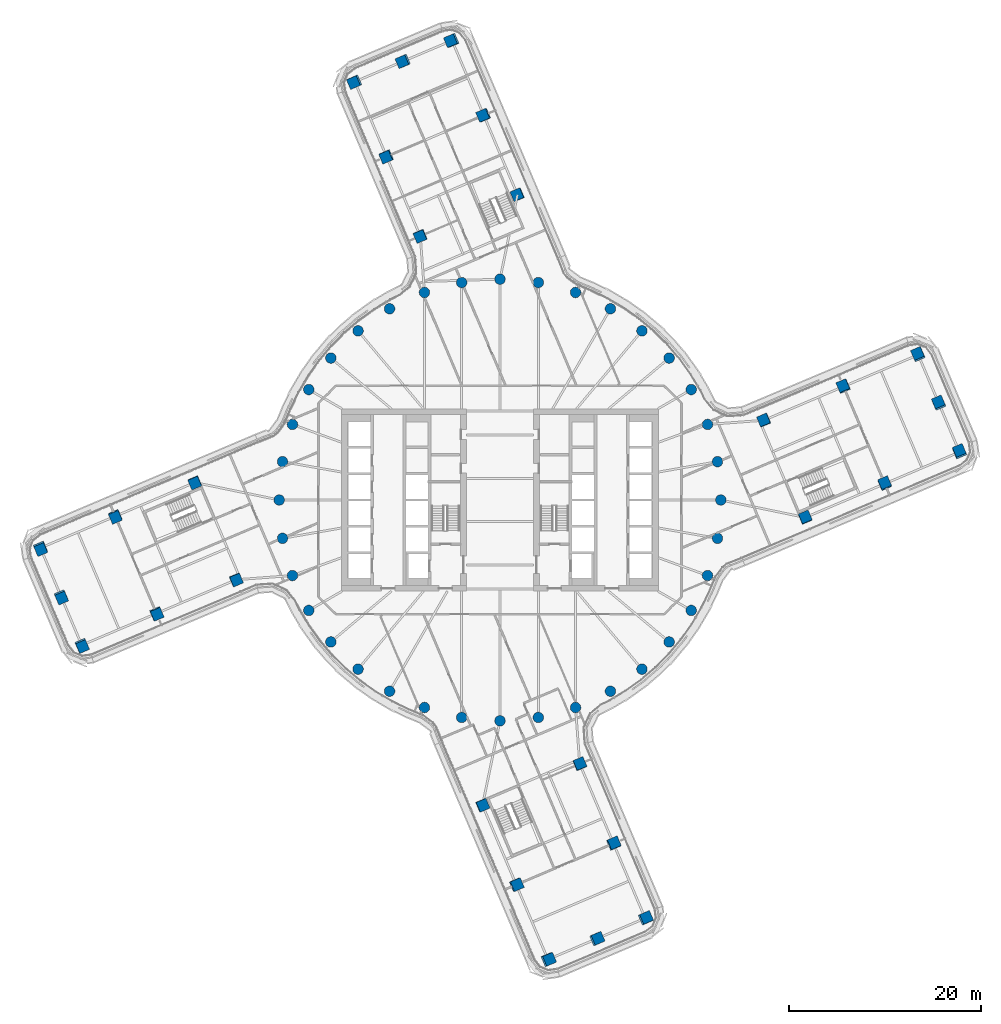
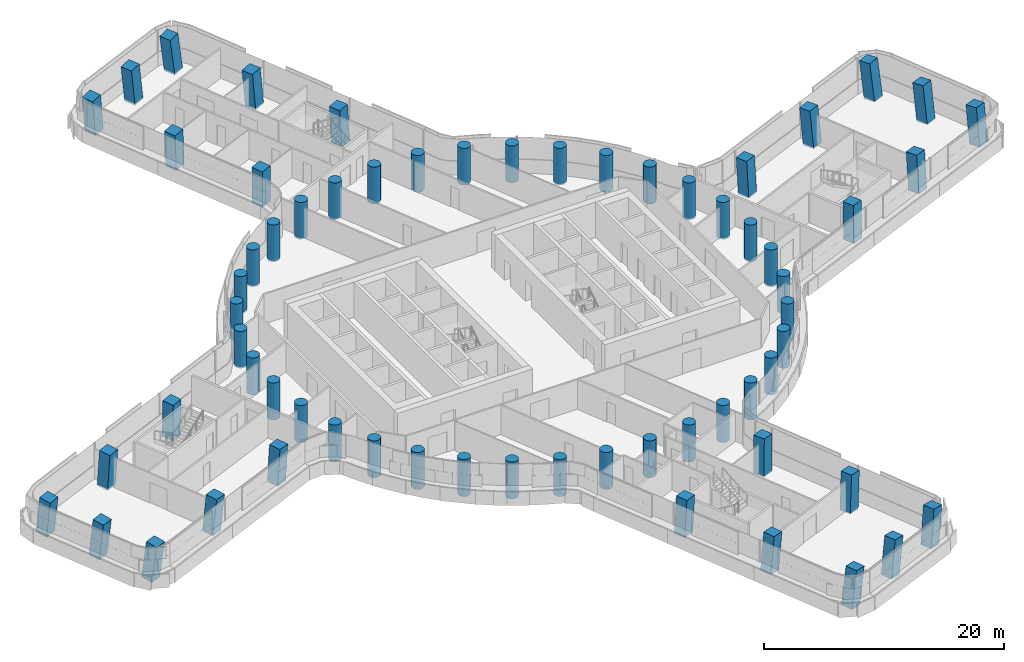
# One storey, part 1 of 35: 64 columns.
"""IFC4 building model written with IfcOpenShell, lengths in metres."""

from ifc_helpers import new_model, si_unit, direction, frame, origin, origin_2d, place, context, subcontext, project, spatial, rectangle, circle, extrude, material, material_profile, profile_set, type_object, element, save


model = new_model("IFC4")

# Units and contexts
model_context = context("Model", 3, precision=1e-05, world=origin(), true_north=direction((0.0, 1.0)))
body_context = subcontext(model_context, "Body", "Model", "MODEL_VIEW")
ifc_project = project(units=[si_unit("LENGTHUNIT", "METRE"), si_unit("AREAUNIT", "SQUARE_METRE"), si_unit("VOLUMEUNIT", "CUBIC_METRE"), si_unit("PLANEANGLEUNIT", "RADIAN"), si_unit("MASSUNIT", "GRAM", prefix="KILO")], contexts=[model_context])

# Site, building, storey
site_placement = place(None, origin())
site = spatial("IfcSite", under=ifc_project, at=site_placement, CompositionType="ELEMENT")
building_placement = place(site_placement, origin())
building = spatial("IfcBuilding", under=site, at=building_placement, Name="Tamarind Cross Interchange Tower", CompositionType="ELEMENT")
storey_placement = place(building_placement, frame((0.0, 0.0, 117.25)))
storey = spatial("IfcBuildingStorey", under=building, at=storey_placement, Name="L28", CompositionType="ELEMENT", Elevation=117.25)

# Columns
ifc_material = material(Name="Concrete C65", Category="concrete")
ifc_material_profile_1 = material_profile(ifc_material, rectangle(XDim=1.10009765625, YDim=1.10009765625, at=origin_2d()), Name="RC 1100x1100")
ifc_profile_set_1 = profile_set([ifc_material_profile_1], Name="Concrete C65")
column_type_1 = type_object("IfcColumnType", Name="Column RC 1100x1100 Concrete C65", PredefinedType="COLUMN", material=ifc_profile_set_1)
for number, where, z_axis, x_axis, name in (
    (1, (35.778564453125, 11.819091796875, -0.138427734375), (-0.057832191099, 0.066205201931, 0.996128660821), (0.387978771494, -0.91787545558, 0.083529162057), "Column L28-036"),
    (2, (40.07421875, 1.6923828125, -0.138427734375), (-0.009022040694, 0.0874943227, 0.996124162079), (-0.920612693773, -0.389618136413, 0.025883891539), "Column L28-037"),
):
    element("IfcColumn", number, at=place(storey_placement, frame(where, z_axis=z_axis, x_axis=x_axis)), inside=storey, type_object=column_type_1, Name=name, PredefinedType="COLUMN", context=body_context, shape_type="SweptSolid", body=[
        extrude(rectangle(XDim=1.10009765625, YDim=1.10009765625, at=origin_2d()), origin(), (0.0, 0.0, 1.0), 3.761474609375),
    ])
for number, where, z_axis, x_axis, name in (
    (3, (27.4931640625, 8.304443359375, -0.138671875), (-0.040541482933, 0.026355217637, 0.998830211129), (0.388633376935, -0.920521070145, 0.040063172014), "Column L28-038"),
    (4, (31.788818359375, -1.822021484375, -0.138671875), (0.008394645353, 0.047569657001, 0.998832647475), (-0.920393724136, -0.390106330459, 0.026314321323), "Column L28-039"),
):
    element("IfcColumn", number, at=place(storey_placement, frame(where, z_axis=z_axis, x_axis=x_axis)), inside=storey, type_object=column_type_1, Name=name, PredefinedType="COLUMN", context=body_context, shape_type="SweptSolid", body=[
        extrude(rectangle(XDim=1.10009765625, YDim=1.10009765625, at=origin_2d()), origin(), (0.0, 0.0, 1.0), 3.751708984375),
    ])
column_1_placement = place(storey_placement, frame((47.856689453125, 4.99365234375, -0.138427734375), z_axis=(-0.016088019764, 0.12851032655, 0.991577667956), x_axis=(-0.920945959267, -0.388083258278, 0.035354274898)))
element("IfcColumn", 5, at=column_1_placement, inside=storey, type_object=column_type_1, Name="Column L28-040", PredefinedType="COLUMN", context=body_context, shape_type="SweptSolid", body=[
    extrude(rectangle(XDim=1.10009765625, YDim=1.10009765625, at=origin_2d()), origin(), (0.0, 0.0, 1.0), 3.778564453125),
])
column_2_placement = place(storey_placement, frame((45.708984375, 10.05712890625, -0.138671875), z_axis=(-0.040465974757, 0.117971891264, 0.992192087128), x_axis=(-0.920703865093, -0.390161822485, 0.008839970453)))
element("IfcColumn", 6, at=column_2_placement, inside=storey, type_object=column_type_1, Name="Column L28-041", PredefinedType="COLUMN", context=body_context, shape_type="SweptSolid", body=[
    extrude(rectangle(XDim=1.10009765625, YDim=1.10009765625, at=origin_2d()), origin(), (0.0, 0.0, 1.0), 3.77685546875),
])
column_3_placement = place(storey_placement, frame((43.561279296875, 15.120361328125, -0.138671875), z_axis=(-0.06482986182, 0.107424955479, 0.992097257307), x_axis=(0.386725809646, -0.913790619875, 0.124216952069)))
element("IfcColumn", 7, at=column_3_placement, inside=storey, type_object=column_type_1, Name="Column L28-042", PredefinedType="COLUMN", context=body_context, shape_type="SweptSolid", body=[
    extrude(rectangle(XDim=1.10009765625, YDim=1.10009765625, at=origin_2d()), origin(), (0.0, 0.0, 1.0), 3.777099609375),
])
for number, where, z_axis, x_axis, name in (
    (8, (-11.819091796875, 35.778564453125, -0.138427734375), (-0.066205201931, -0.057832191099, 0.996128660821), (0.91787545558, 0.387978771494, 0.083529162057), "Column L28-043"),
    (9, (-1.6923828125, 40.07421875, -0.138427734375), (-0.0874943227, -0.009022040694, 0.996124162079), (0.389618136413, -0.920612693773, 0.025883891539), "Column L28-044"),
):
    element("IfcColumn", number, at=place(storey_placement, frame(where, z_axis=z_axis, x_axis=x_axis)), inside=storey, type_object=column_type_1, Name=name, PredefinedType="COLUMN", context=body_context, shape_type="SweptSolid", body=[
        extrude(rectangle(XDim=1.10009765625, YDim=1.10009765625, at=origin_2d()), origin(), (0.0, 0.0, 1.0), 3.761474609375),
    ])
for number, where, z_axis, x_axis, name in (
    (10, (-8.304443359375, 27.4931640625, -0.138671875), (-0.026355217637, -0.040541482933, 0.998830211129), (0.920521070145, 0.388633376935, 0.040063172014), "Column L28-045"),
    (11, (1.822021484375, 31.788818359375, -0.138671875), (-0.047569657001, 0.008394645353, 0.998832647475), (0.390106330459, -0.920393724136, 0.026314321323), "Column L28-046"),
):
    element("IfcColumn", number, at=place(storey_placement, frame(where, z_axis=z_axis, x_axis=x_axis)), inside=storey, type_object=column_type_1, Name=name, PredefinedType="COLUMN", context=body_context, shape_type="SweptSolid", body=[
        extrude(rectangle(XDim=1.10009765625, YDim=1.10009765625, at=origin_2d()), origin(), (0.0, 0.0, 1.0), 3.751708984375),
    ])
column_4_placement = place(storey_placement, frame((-4.99365234375, 47.856689453125, -0.138427734375), z_axis=(-0.12851032655, -0.016088019764, 0.991577667956), x_axis=(0.388083258278, -0.920945959267, 0.035354274898)))
element("IfcColumn", 12, at=column_4_placement, inside=storey, type_object=column_type_1, Name="Column L28-047", PredefinedType="COLUMN", context=body_context, shape_type="SweptSolid", body=[
    extrude(rectangle(XDim=1.10009765625, YDim=1.10009765625, at=origin_2d()), origin(), (0.0, 0.0, 1.0), 3.778564453125),
])
column_5_placement = place(storey_placement, frame((-10.05712890625, 45.708984375, -0.138671875), z_axis=(-0.117971891264, -0.040465974757, 0.992192087128), x_axis=(0.390161822485, -0.920703865093, 0.008839970453)))
element("IfcColumn", 13, at=column_5_placement, inside=storey, type_object=column_type_1, Name="Column L28-048", PredefinedType="COLUMN", context=body_context, shape_type="SweptSolid", body=[
    extrude(rectangle(XDim=1.10009765625, YDim=1.10009765625, at=origin_2d()), origin(), (0.0, 0.0, 1.0), 3.77685546875),
])
column_6_placement = place(storey_placement, frame((-15.120361328125, 43.561279296875, -0.138671875), z_axis=(-0.107424955479, -0.06482986182, 0.992097257307), x_axis=(0.913790619875, 0.386725809646, 0.124216952069)))
element("IfcColumn", 14, at=column_6_placement, inside=storey, type_object=column_type_1, Name="Column L28-049", PredefinedType="COLUMN", context=body_context, shape_type="SweptSolid", body=[
    extrude(rectangle(XDim=1.10009765625, YDim=1.10009765625, at=origin_2d()), origin(), (0.0, 0.0, 1.0), 3.777099609375),
])
for number, where, z_axis, x_axis, name in (
    (15, (-35.778564453125, -11.819091796875, -0.138427734375), (0.057832191099, -0.066205201931, 0.996128660821), (-0.387978771494, 0.91787545558, 0.083529162057), "Column L28-050"),
    (16, (-40.07421875, -1.6923828125, -0.138427734375), (0.009022040694, -0.0874943227, 0.996124162079), (0.920612693773, 0.389618136413, 0.025883891539), "Column L28-051"),
):
    element("IfcColumn", number, at=place(storey_placement, frame(where, z_axis=z_axis, x_axis=x_axis)), inside=storey, type_object=column_type_1, Name=name, PredefinedType="COLUMN", context=body_context, shape_type="SweptSolid", body=[
        extrude(rectangle(XDim=1.10009765625, YDim=1.10009765625, at=origin_2d()), origin(), (0.0, 0.0, 1.0), 3.761474609375),
    ])
for number, where, z_axis, x_axis, name in (
    (17, (-27.4931640625, -8.304443359375, -0.138671875), (0.040541482933, -0.026355217637, 0.998830211129), (-0.388633376935, 0.920521070145, 0.040063172014), "Column L28-052"),
    (18, (-31.788818359375, 1.822021484375, -0.138671875), (-0.008394645353, -0.047569657001, 0.998832647475), (0.920393724136, 0.390106330459, 0.026314321323), "Column L28-053"),
):
    element("IfcColumn", number, at=place(storey_placement, frame(where, z_axis=z_axis, x_axis=x_axis)), inside=storey, type_object=column_type_1, Name=name, PredefinedType="COLUMN", context=body_context, shape_type="SweptSolid", body=[
        extrude(rectangle(XDim=1.10009765625, YDim=1.10009765625, at=origin_2d()), origin(), (0.0, 0.0, 1.0), 3.751708984375),
    ])
column_7_placement = place(storey_placement, frame((-47.856689453125, -4.99365234375, -0.138427734375), z_axis=(0.016088019764, -0.12851032655, 0.991577667956), x_axis=(0.920945959267, 0.388083258278, 0.035354274898)))
element("IfcColumn", 19, at=column_7_placement, inside=storey, type_object=column_type_1, Name="Column L28-054", PredefinedType="COLUMN", context=body_context, shape_type="SweptSolid", body=[
    extrude(rectangle(XDim=1.10009765625, YDim=1.10009765625, at=origin_2d()), origin(), (0.0, 0.0, 1.0), 3.778564453125),
])
column_8_placement = place(storey_placement, frame((-45.708984375, -10.05712890625, -0.138671875), z_axis=(0.040465974757, -0.117971891264, 0.992192087128), x_axis=(0.920703865093, 0.390161822485, 0.008839970453)))
element("IfcColumn", 20, at=column_8_placement, inside=storey, type_object=column_type_1, Name="Column L28-055", PredefinedType="COLUMN", context=body_context, shape_type="SweptSolid", body=[
    extrude(rectangle(XDim=1.10009765625, YDim=1.10009765625, at=origin_2d()), origin(), (0.0, 0.0, 1.0), 3.77685546875),
])
column_9_placement = place(storey_placement, frame((-43.561279296875, -15.120361328125, -0.138671875), z_axis=(0.06482986182, -0.107424955479, 0.992097257307), x_axis=(-0.386725809646, 0.913790619875, 0.124216952069)))
element("IfcColumn", 21, at=column_9_placement, inside=storey, type_object=column_type_1, Name="Column L28-056", PredefinedType="COLUMN", context=body_context, shape_type="SweptSolid", body=[
    extrude(rectangle(XDim=1.10009765625, YDim=1.10009765625, at=origin_2d()), origin(), (0.0, 0.0, 1.0), 3.777099609375),
])
for number, where, z_axis, x_axis, name in (
    (22, (11.819091796875, -35.778564453125, -0.138427734375), (0.066205201931, 0.057832191099, 0.996128660821), (-0.91787545558, -0.387978771494, 0.083529162057), "Column L28-057"),
    (23, (1.6923828125, -40.07421875, -0.138427734375), (0.0874943227, 0.009022040694, 0.996124162079), (-0.389618136413, 0.920612693773, 0.025883891539), "Column L28-058"),
):
    element("IfcColumn", number, at=place(storey_placement, frame(where, z_axis=z_axis, x_axis=x_axis)), inside=storey, type_object=column_type_1, Name=name, PredefinedType="COLUMN", context=body_context, shape_type="SweptSolid", body=[
        extrude(rectangle(XDim=1.10009765625, YDim=1.10009765625, at=origin_2d()), origin(), (0.0, 0.0, 1.0), 3.761474609375),
    ])
for number, where, z_axis, x_axis, name in (
    (24, (8.304443359375, -27.4931640625, -0.138671875), (0.026355217637, 0.040541482933, 0.998830211129), (-0.920521070145, -0.388633376935, 0.040063172014), "Column L28-059"),
    (25, (-1.822021484375, -31.788818359375, -0.138671875), (0.047569657001, -0.008394645353, 0.998832647475), (-0.390106330459, 0.920393724136, 0.026314321323), "Column L28-060"),
):
    element("IfcColumn", number, at=place(storey_placement, frame(where, z_axis=z_axis, x_axis=x_axis)), inside=storey, type_object=column_type_1, Name=name, PredefinedType="COLUMN", context=body_context, shape_type="SweptSolid", body=[
        extrude(rectangle(XDim=1.10009765625, YDim=1.10009765625, at=origin_2d()), origin(), (0.0, 0.0, 1.0), 3.751708984375),
    ])
column_10_placement = place(storey_placement, frame((4.99365234375, -47.856689453125, -0.138427734375), z_axis=(0.12851032655, 0.016088019764, 0.991577667956), x_axis=(-0.388083258278, 0.920945959267, 0.035354274898)))
element("IfcColumn", 26, at=column_10_placement, inside=storey, type_object=column_type_1, Name="Column L28-061", PredefinedType="COLUMN", context=body_context, shape_type="SweptSolid", body=[
    extrude(rectangle(XDim=1.10009765625, YDim=1.10009765625, at=origin_2d()), origin(), (0.0, 0.0, 1.0), 3.778564453125),
])
column_11_placement = place(storey_placement, frame((10.05712890625, -45.708984375, -0.138671875), z_axis=(0.117971891264, 0.040465974757, 0.992192087128), x_axis=(-0.390161822485, 0.920703865093, 0.008839970453)))
element("IfcColumn", 27, at=column_11_placement, inside=storey, type_object=column_type_1, Name="Column L28-062", PredefinedType="COLUMN", context=body_context, shape_type="SweptSolid", body=[
    extrude(rectangle(XDim=1.10009765625, YDim=1.10009765625, at=origin_2d()), origin(), (0.0, 0.0, 1.0), 3.77685546875),
])
column_12_placement = place(storey_placement, frame((15.120361328125, -43.561279296875, -0.138671875), z_axis=(0.107424955479, 0.06482986182, 0.992097257307), x_axis=(-0.913790619875, -0.386725809646, 0.124216952069)))
element("IfcColumn", 28, at=column_12_placement, inside=storey, type_object=column_type_1, Name="Column L28-063", PredefinedType="COLUMN", context=body_context, shape_type="SweptSolid", body=[
    extrude(rectangle(XDim=1.10009765625, YDim=1.10009765625, at=origin_2d()), origin(), (0.0, 0.0, 1.0), 3.777099609375),
])
ifc_material_profile_2 = material_profile(ifc_material, circle(Radius=0.550048828125, at=origin_2d()), Name="RC D1100")
ifc_profile_set_2 = profile_set([ifc_material_profile_2], Name="Concrete C65")
column_type_2 = type_object("IfcColumnType", Name="Column RC D1100 Concrete C65", PredefinedType="COLUMN", material=ifc_profile_set_2)
for number, where, z_axis, x_axis, name in (
    (29, (23.0, 0.0, -0.139892578125), (0.0, 0.0, 1.0), (1.0, 0.0, 0.0), "Column L28-000"),
    (30, (22.650634765625, 3.993896484375, -0.139892578125), (0.0, 0.0, 1.0), (1.0, 0.0, 0.0), "Column L28-001"),
    (31, (21.613037109375, 7.866455078125, -0.139892578125), (0.0, 0.0, 1.0), (1.0, 0.0, 0.0), "Column L28-002"),
    (32, (19.918701171875, 11.5, -0.139892578125), (0.0, 0.0, 1.0), (1.0, 0.0, 0.0), "Column L28-003"),
    (33, (17.619140625, 14.7841796875, -0.139892578125), (0.0, 0.0, 1.0), (1.0, 0.0, 0.0), "Column L28-004"),
    (34, (14.7841796875, 17.619140625, -0.139892578125), (0.0, 0.0, 1.0), (1.0, 0.0, 0.0), "Column L28-005"),
    (35, (11.5, 19.918701171875, -0.139892578125), (0.0, 0.0, 1.0), (1.0, 0.0, 0.0), "Column L28-006"),
    (36, (7.866455078125, 21.613037109375, -0.139892578125), (0.0, 0.0, 1.0), (1.0, 0.0, 0.0), "Column L28-007"),
    (37, (3.993896484375, 22.650634765625, -0.139892578125), (0.0, 0.0, 1.0), (1.0, 0.0, 0.0), "Column L28-008"),
    (38, (0.0, 23.0, -0.139892578125), (0.0, 0.0, 1.0), (1.0, 0.0, 0.0), "Column L28-009"),
    (39, (-3.993896484375, 22.650634765625, -0.139892578125), (0.0, 0.0, 1.0), (1.0, 0.0, 0.0), "Column L28-010"),
    (40, (-7.866455078125, 21.613037109375, -0.139892578125), (0.0, 0.0, 1.0), (1.0, 0.0, 0.0), "Column L28-011"),
    (41, (-11.5, 19.918701171875, -0.139892578125), (0.0, 0.0, 1.0), (1.0, 0.0, 0.0), "Column L28-012"),
    (42, (-14.7841796875, 17.619140625, -0.139892578125), (0.0, 0.0, 1.0), (1.0, 0.0, 0.0), "Column L28-013"),
    (43, (-17.619140625, 14.7841796875, -0.139892578125), (0.0, 0.0, 1.0), (1.0, 0.0, 0.0), "Column L28-014"),
    (44, (-19.918701171875, 11.5, -0.139892578125), (0.0, 0.0, 1.0), (1.0, 0.0, 0.0), "Column L28-015"),
    (45, (-21.613037109375, 7.866455078125, -0.139892578125), (0.0, 0.0, 1.0), (1.0, 0.0, 0.0), "Column L28-016"),
    (46, (-22.650634765625, 3.993896484375, -0.139892578125), (0.0, 0.0, 1.0), (1.0, 0.0, 0.0), "Column L28-017"),
    (47, (-23.0, 0.0, -0.139892578125), (0.0, 0.0, 1.0), (1.0, 0.0, 0.0), "Column L28-018"),
    (48, (-22.650634765625, -3.993896484375, -0.139892578125), (0.0, 0.0, 1.0), (1.0, 0.0, 0.0), "Column L28-019"),
    (49, (-21.613037109375, -7.866455078125, -0.139892578125), (0.0, 0.0, 1.0), (1.0, 0.0, 0.0), "Column L28-020"),
    (50, (-19.918701171875, -11.5, -0.139892578125), (0.0, 0.0, 1.0), (1.0, 0.0, 0.0), "Column L28-021"),
    (51, (-17.619140625, -14.7841796875, -0.139892578125), (0.0, 0.0, 1.0), (1.0, 0.0, 0.0), "Column L28-022"),
    (52, (-14.7841796875, -17.619140625, -0.139892578125), (0.0, 0.0, 1.0), (1.0, 0.0, 0.0), "Column L28-023"),
    (53, (-11.5, -19.918701171875, -0.139892578125), (0.0, 0.0, 1.0), (1.0, 0.0, 0.0), "Column L28-024"),
    (54, (-7.866455078125, -21.613037109375, -0.139892578125), (0.0, 0.0, 1.0), (1.0, 0.0, 0.0), "Column L28-025"),
    (55, (-3.993896484375, -22.650634765625, -0.139892578125), (0.0, 0.0, 1.0), (1.0, 0.0, 0.0), "Column L28-026"),
    (56, (0.0, -23.0, -0.139892578125), (0.0, 0.0, 1.0), (1.0, 0.0, 0.0), "Column L28-027"),
    (57, (3.993896484375, -22.650634765625, -0.139892578125), (0.0, 0.0, 1.0), (1.0, 0.0, 0.0), "Column L28-028"),
    (58, (7.866455078125, -21.613037109375, -0.139892578125), (0.0, 0.0, 1.0), (1.0, 0.0, 0.0), "Column L28-029"),
    (59, (11.5, -19.918701171875, -0.139892578125), (0.0, 0.0, 1.0), (1.0, 0.0, 0.0), "Column L28-030"),
    (60, (14.7841796875, -17.619140625, -0.139892578125), (0.0, 0.0, 1.0), (1.0, 0.0, 0.0), "Column L28-031"),
    (61, (17.619140625, -14.7841796875, -0.139892578125), (0.0, 0.0, 1.0), (1.0, 0.0, 0.0), "Column L28-032"),
    (62, (19.918701171875, -11.5, -0.139892578125), (0.0, 0.0, 1.0), (1.0, 0.0, 0.0), "Column L28-033"),
    (63, (21.613037109375, -7.866455078125, -0.139892578125), (0.0, 0.0, 1.0), (1.0, 0.0, 0.0), "Column L28-034"),
    (64, (22.650634765625, -3.993896484375, -0.139892578125), (0.0, 0.0, 1.0), (1.0, 0.0, 0.0), "Column L28-035"),
):
    element("IfcColumn", number, at=place(storey_placement, frame(where, z_axis=z_axis, x_axis=x_axis)), inside=storey, type_object=column_type_2, Name=name, PredefinedType="COLUMN", context=body_context, shape_type="SweptSolid", body=[
        extrude(circle(Radius=0.550048828125, at=origin_2d()), origin(), (0.0, 0.0, 1.0), 3.75),
    ])

save(model, "model.ifc")
